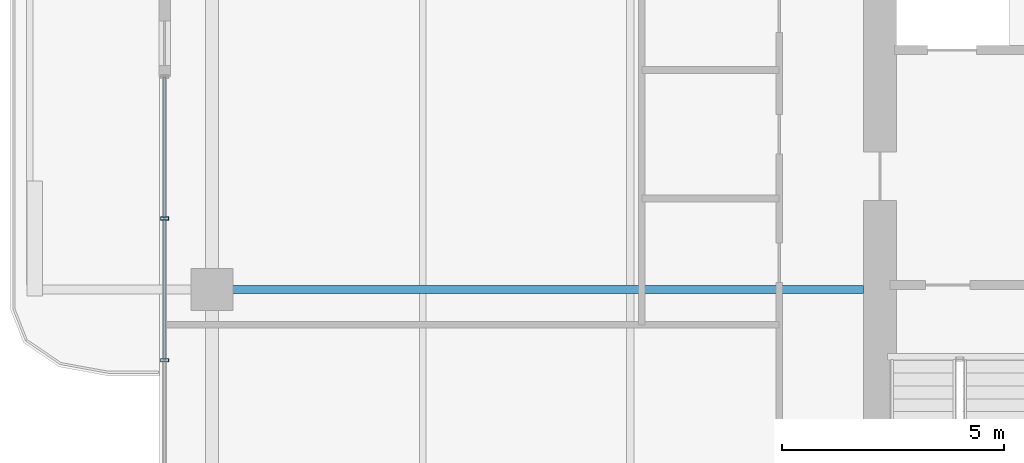
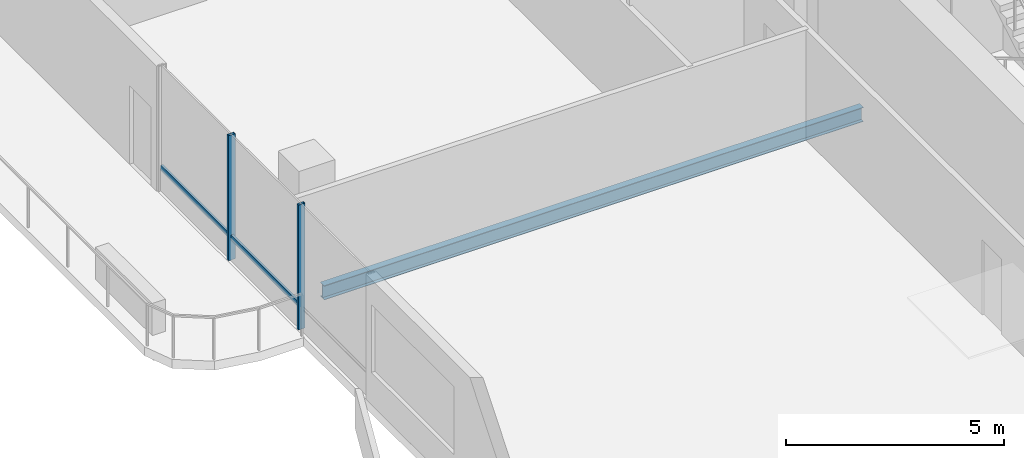
# One storey, part 6 of 23: 4 members, 1 beam, 1 element without a shape of its own.
"""IFC4 building model written with IfcOpenShell, lengths in metres."""

from ifc_helpers import new_model, si_unit, direction, frame, origin, origin_2d, place, context, subcontext, project, spatial, hollow_rectangle, i_section, extrude, material, layer, layer_set, material_profile, profile_set, type_object, element, aggregate, save


model = new_model("IFC4")

# Units and contexts
model_context = context("Model", 3, precision=1e-05, world=origin(), true_north=direction((0.0, 1.0)))
body_context = subcontext(model_context, "Body", "Model", "MODEL_VIEW")
ifc_project = project(units=[si_unit("LENGTHUNIT", "METRE"), si_unit("AREAUNIT", "SQUARE_METRE"), si_unit("VOLUMEUNIT", "CUBIC_METRE"), si_unit("PLANEANGLEUNIT", "RADIAN"), si_unit("MASSUNIT", "GRAM", prefix="KILO")], contexts=[model_context])

# Site, building, storey
site_placement = place(None, origin())
site = spatial("IfcSite", under=ifc_project, at=site_placement, CompositionType="ELEMENT")
building_placement = place(site_placement, origin())
building = spatial("IfcBuilding", under=site, at=building_placement, Name="Belovzor Exchange Tower", CompositionType="ELEMENT")
storey_placement = place(building_placement, frame((0.0, 0.0, 276.60009765625)))
storey = spatial("IfcBuildingStorey", under=building, at=storey_placement, Name="L69", CompositionType="ELEMENT", Elevation=276.60009765625)

# Curtain wall, members
ifc_material_1 = material(Name="Anodised Aluminium Framing", Category="aluminium")
ifc_layer = layer(ifc_material_1, 0.179931640625)
ifc_layer_set = layer_set([ifc_layer], Name="Anodised Aluminium Framing")
curtain_wall_type = type_object("IfcCurtainWallType", Name="Recessed Loggia Low-Iron Triple-Glazed Curtain Wall", PredefinedType="NOTDEFINED", material=ifc_layer_set)
curtain_wall_placement = place(storey_placement, origin())
curtain_wall = element("IfcCurtainWall", 1, at=curtain_wall_placement, inside=storey, type_object=curtain_wall_type, Name="CW3 Recessed Loggia Low-Iron Triple-Glazed Curtain Wall L69", PredefinedType="NOTDEFINED")
ifc_material_2 = material(Name="Steel S355", Category="steel")
ifc_material_profile_1 = material_profile(ifc_material_2, hollow_rectangle(XDim=0.074951171875, YDim=0.179931640625, WallThickness=0.0048828125, at=origin_2d()))
ifc_profile_set_1 = profile_set([ifc_material_profile_1], Name="Steel S355")
member_type_1 = type_object("IfcMemberType", Name="Thermally Broken Curtain Wall Mullion 180x75", PredefinedType="MULLION", material=ifc_profile_set_1)
member_1_placement = place(storey_placement, frame((4.030029296875, 27.199951171875, 0.0), z_axis=(0.0, 0.0, 1.0), x_axis=(0.0, 1.0, 0.0)))
member_1 = element("IfcMember", 2, at=member_1_placement, type_object=member_type_1, Name="CW-M180 Curtain Wall Mullion 2", PredefinedType="MULLION", context=body_context, shape_type="SweptSolid", body=[
    extrude(hollow_rectangle(XDim=0.074951171875, YDim=0.179931640625, WallThickness=0.0048828125, at=origin_2d()), origin(), (0.0, 0.0, 1.0), 3.5),
])
member_2_placement = place(storey_placement, frame((4.030029296875, 30.39990234375, 0.0), z_axis=(0.0, 0.0, 1.0), x_axis=(0.0, 1.0, 0.0)))
member_2 = element("IfcMember", 3, at=member_2_placement, type_object=member_type_1, Name="CW-M180 Curtain Wall Mullion 3", PredefinedType="MULLION", context=body_context, shape_type="SweptSolid", body=[
    extrude(hollow_rectangle(XDim=0.074951171875, YDim=0.179931640625, WallThickness=0.0048828125, at=origin_2d()), origin(), (0.0, 0.0, 1.0), 3.5),
])
ifc_material_3 = material(Name="Steel S355", Category="steel")
ifc_material_profile_2 = material_profile(ifc_material_3, hollow_rectangle(XDim=0.06005859375, YDim=0.14990234375, WallThickness=0.00390625, at=origin_2d()))
ifc_profile_set_2 = profile_set([ifc_material_profile_2], Name="Steel S355")
member_type_2 = type_object("IfcMemberType", Name="Thermally Broken Curtain Wall Transom 150x60", PredefinedType="USERDEFINED", material=ifc_profile_set_2)
member_3_placement = place(storey_placement, frame((4.030029296875, 27.2080078125, 0.6298828125), z_axis=(0.0, 1.0, 0.0), x_axis=(-1.0, 0.0, 0.0)))
member_3 = element("IfcMember", 4, at=member_3_placement, type_object=member_type_2, Name="CW-T150 Curtain Wall Transom 2", ObjectType="TRANSOM", PredefinedType="USERDEFINED", context=body_context, shape_type="SweptSolid", body=[
    extrude(hollow_rectangle(XDim=0.06005859375, YDim=0.14990234375, WallThickness=0.00390625, at=origin_2d()), origin(), (0.0, 0.0, 1.0), 3.18408203125),
])
member_4_placement = place(storey_placement, frame((4.030029296875, 30.407958984375, 0.6298828125), z_axis=(0.0, 1.0, 0.0), x_axis=(-1.0, 0.0, 0.0)))
member_4 = element("IfcMember", 5, at=member_4_placement, type_object=member_type_2, Name="CW-T150 Curtain Wall Transom 3", ObjectType="TRANSOM", PredefinedType="USERDEFINED", context=body_context, shape_type="SweptSolid", body=[
    extrude(hollow_rectangle(XDim=0.06005859375, YDim=0.14990234375, WallThickness=0.00390625, at=origin_2d()), origin(), (0.0, 0.0, 1.0), 3.18408203125),
])
aggregate(curtain_wall, [member_1, member_2, member_3, member_4])

# Beam
ifc_material_4 = material(Name="Steel S355", Category="steel")
ifc_material_profile_3 = material_profile(ifc_material_4, i_section(OverallWidth=0.179931640625, OverallDepth=0.39990234375, WebThickness=0.008544921875, FlangeThickness=0.013427734375, at=origin_2d()))
ifc_profile_set_3 = profile_set([ifc_material_profile_3], Name="Steel S355")
beam_type = type_object("IfcBeamType", Name="Zone 5-6 Radial Composite Floor Beam IPE 400", PredefinedType="BEAM", material=ifc_profile_set_3)
beam_placement = place(storey_placement, frame((19.800048828125, 28.800048828125, -0.4501953125), z_axis=(-1.0, 0.0, 0.0), x_axis=(0.0, -1.0, 0.0)))
element("IfcBeam", 6, at=beam_placement, inside=storey, type_object=beam_type, Name="FB-400 Zone 5-6 Radial Composite Floor Beam IPE 400", PredefinedType="BEAM", context=body_context, shape_type="SweptSolid", body=[
    extrude(i_section(OverallWidth=0.179931640625, OverallDepth=0.39990234375, WebThickness=0.008544921875, FlangeThickness=0.013427734375, at=origin_2d()), origin(), (0.0, 0.0, 1.0), 14.281982421875),
])

save(model, "model.ifc")
